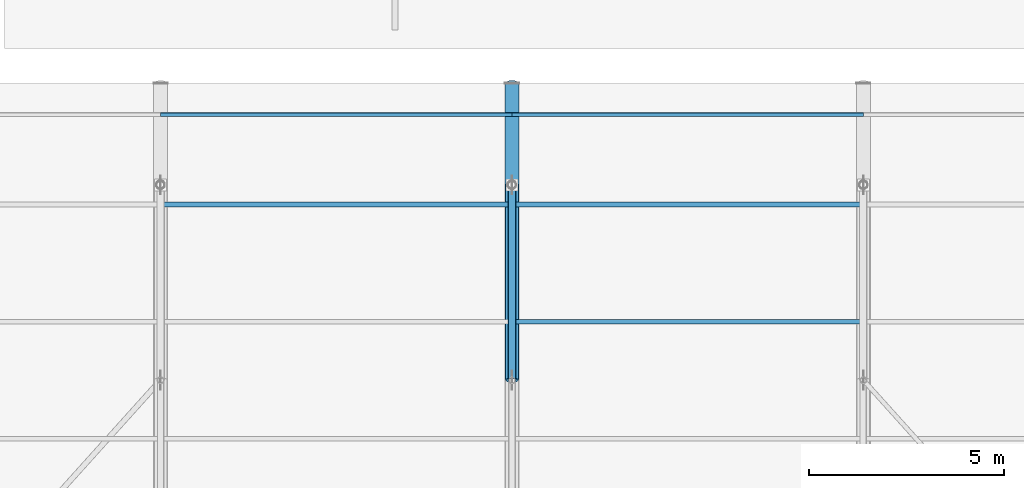
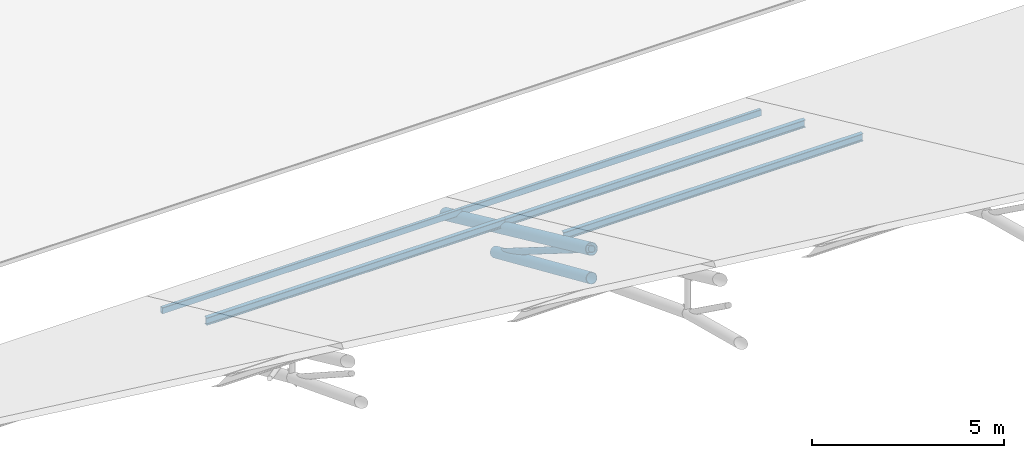
# One storey, part 45 of 107: 8 members.
"""IFC4 building model written with IfcOpenShell, lengths in metres."""

from ifc_helpers import new_model, si_unit, derived_unit, direction, frame, origin, origin_2d, place, context, subcontext, project, spatial, hollow_rectangle, hollow_circle, i_section, extrude, material, material_profile, profile_set, type_object, element, save


model = new_model("IFC4")

# Units and contexts
model_context = context("Model", 3, precision=1e-05, world=origin(), true_north=direction((0.0, 1.0)))
body_context = subcontext(model_context, "Body", "Model", "MODEL_VIEW")
ifc_project = project(units=[si_unit("LENGTHUNIT", "METRE"), si_unit("AREAUNIT", "SQUARE_METRE"), si_unit("VOLUMEUNIT", "CUBIC_METRE"), si_unit("PLANEANGLEUNIT", "RADIAN"), si_unit("MASSUNIT", "GRAM", prefix="KILO"), si_unit("THERMODYNAMICTEMPERATUREUNIT", "KELVIN"), si_unit("TIMEUNIT", "SECOND"), derived_unit("THERMALTRANSMITTANCEUNIT", [(si_unit("MASSUNIT", "GRAM", prefix="KILO"), 1), (si_unit("THERMODYNAMICTEMPERATUREUNIT", "KELVIN"), -1), (si_unit("TIMEUNIT", "SECOND"), -3)])], contexts=[model_context])

# Site, building, storey
site_placement = place(None, origin())
site = spatial("IfcSite", under=ifc_project, at=site_placement, CompositionType="ELEMENT")
building_placement = place(site_placement, origin())
building = spatial("IfcBuilding", under=site, at=building_placement, Name="Cambertide Market Hall", CompositionType="ELEMENT")
storey_placement = place(building_placement, frame((0.0, 0.0, 18.300048828125)))
storey = spatial("IfcBuildingStorey", under=building, at=storey_placement, Name="RF", CompositionType="ELEMENT", Elevation=18.300048828125)

# Members
ifc_material_1 = material(Name="Steel S355", Category="steel")
ifc_material_profile_1 = material_profile(ifc_material_1, hollow_circle(Radius=0.161865234375, WallThickness=0.010009765625, at=origin_2d()), Name="CHS 323.9x10")
ifc_profile_set_1 = profile_set([ifc_material_profile_1], Name="Steel S355")
member_type_1 = type_object("IfcMemberType", Name="Arched Truss Chord CHS 323.9x10", PredefinedType="CHORD", material=ifc_profile_set_1)
member_1_placement = place(storey_placement, frame((60.0, 87.0, -8.1767578125), z_axis=(0.0, 0.915087583381, -0.403255148438), x_axis=(-1.0, 0.0, 0.0)))
element("IfcMember", 1, at=member_1_placement, inside=storey, type_object=member_type_1, Name="Roof Truss 3 Arched Bottom Chord 8", PredefinedType="CHORD", context=body_context, shape_type="SweptSolid", body=[
    extrude(hollow_circle(Radius=0.161865234375, WallThickness=0.010009765625, at=origin_2d()), origin(), (0.0, 0.0, 1.0), 5.4638671875),
])
ifc_material_2 = material(Name="Steel S355", Category="steel")
ifc_material_profile_2 = material_profile(ifc_material_2, hollow_circle(Radius=0.177734375, WallThickness=0.012451171875, at=origin_2d()), Name="CHS 355.6x12.5")
ifc_profile_set_2 = profile_set([ifc_material_profile_2], Name="Steel S355")
member_type_2 = type_object("IfcMemberType", Name="Exterior Arched Truss Chord CHS 355.6x12.5", PredefinedType="CHORD", material=ifc_profile_set_2)
member_2_placement = place(storey_placement, frame((60.0, 87.0, -7.25), z_axis=(0.0, 0.908488236671, -0.417910425606), x_axis=(-1.0, 0.0, 0.0)))
element("IfcMember", 2, at=member_2_placement, inside=storey, type_object=member_type_2, Name="Roof Truss 3 Top Chord 8", PredefinedType="CHORD", context=body_context, shape_type="SweptSolid", body=[
    extrude(hollow_circle(Radius=0.177734375, WallThickness=0.012451171875, at=origin_2d()), origin(), (0.0, 0.0, 1.0), 8.36572265625),
])
ifc_material_3 = material(Name="Steel S275", Category="steel")
ifc_material_profile_3 = material_profile(ifc_material_3, hollow_rectangle(XDim=0.10009765625, YDim=0.199951171875, WallThickness=0.00634765625, InnerFilletRadius=0.00634765625, OuterFilletRadius=0.0126953125, at=origin_2d()), Name="RHS 200x100x6.3")
ifc_profile_set_3 = profile_set([ifc_material_profile_3], Name="Steel S275")
member_type_3 = type_object("IfcMemberType", Name="Exterior Roof Purlin RHS 200x100x6.3", PredefinedType="PURLIN", material=ifc_profile_set_3)
for number, where, z_axis, x_axis, name in (
    (3, (51.0, 93.800048828125, -10.16796875), (1.0, 0.0, 0.0), (0.0, 1.0, 0.0), "Barrel Roof Purlin 2-16"),
    (4, (60.0, 93.800048828125, -10.16796875), (1.0, 0.0, 0.0), (0.0, 1.0, 0.0), "Barrel Roof Purlin 3-16"),
):
    element("IfcMember", number, at=place(storey_placement, frame(where, z_axis=z_axis, x_axis=x_axis)), inside=storey, type_object=member_type_3, Name=name, PredefinedType="PURLIN", context=body_context, shape_type="SweptSolid", body=[
        extrude(hollow_rectangle(XDim=0.10009765625, YDim=0.199951171875, WallThickness=0.00634765625, InnerFilletRadius=0.00634765625, OuterFilletRadius=0.0126953125, at=origin_2d()), origin(), (0.0, 0.0, 1.0), 9.0),
    ])
ifc_material_4 = material(Name="Steel S275", Category="steel")
ifc_material_profile_4 = material_profile(ifc_material_4, i_section(OverallWidth=0.1201171875, OverallDepth=0.239990234375, WebThickness=0.006103515625, FlangeThickness=0.009765625, FilletRadius=0.014892578125, at=origin_2d()), Name="IPE 240")
ifc_profile_set_4 = profile_set([ifc_material_profile_4], Name="Steel S275")
member_type_4 = type_object("IfcMemberType", Name="Roof Purlin IPE 240", PredefinedType="PURLIN", material=ifc_profile_set_4)
for number, where, z_axis, x_axis, name in (
    (5, (51.0, 91.5, -9.110107421875), (1.0, 0.0, 0.0), (0.0, 1.0, 0.0), "Barrel Roof Purlin 2-15"),
    (6, (60.0, 88.5, -7.72998046875), (1.0, 0.0, 0.0), (0.0, 1.0, 0.0), "Barrel Roof Purlin 3-14"),
    (7, (60.0, 91.5, -9.110107421875), (1.0, 0.0, 0.0), (0.0, 1.0, 0.0), "Barrel Roof Purlin 3-15"),
):
    element("IfcMember", number, at=place(storey_placement, frame(where, z_axis=z_axis, x_axis=x_axis)), inside=storey, type_object=member_type_4, Name=name, PredefinedType="PURLIN", context=body_context, shape_type="SweptSolid", body=[
        extrude(i_section(OverallWidth=0.1201171875, OverallDepth=0.239990234375, WebThickness=0.006103515625, FlangeThickness=0.009765625, FilletRadius=0.014892578125, at=origin_2d()), origin(), (0.0, 0.0, 1.0), 9.0),
    ])
ifc_material_5 = material(Name="Steel S355", Category="steel")
ifc_material_profile_5 = material_profile(ifc_material_5, hollow_circle(Radius=0.096923828125, WallThickness=0.00634765625, at=origin_2d()), Name="CHS 193.7x6.3")
ifc_profile_set_5 = profile_set([ifc_material_profile_5], Name="Steel S355")
member_type_5 = type_object("IfcMemberType", Name="Structural Brace CHS 193.7x6.3", PredefinedType="BRACE", material=ifc_profile_set_5)
member_3_placement = place(storey_placement, frame((60.0, 87.0, -7.25), z_axis=(0.0, 0.847607454032, -0.530623787507), x_axis=(-1.0, 0.0, 0.0)))
element("IfcMember", 8, at=member_3_placement, inside=storey, type_object=member_type_5, Name="Roof Truss 3 Web Diagonal 8", PredefinedType="BRACE", context=body_context, shape_type="SweptSolid", body=[
    extrude(hollow_circle(Radius=0.096923828125, WallThickness=0.00634765625, at=origin_2d()), origin(), (0.0, 0.0, 1.0), 5.89892578125),
])

save(model, "model.ifc")
